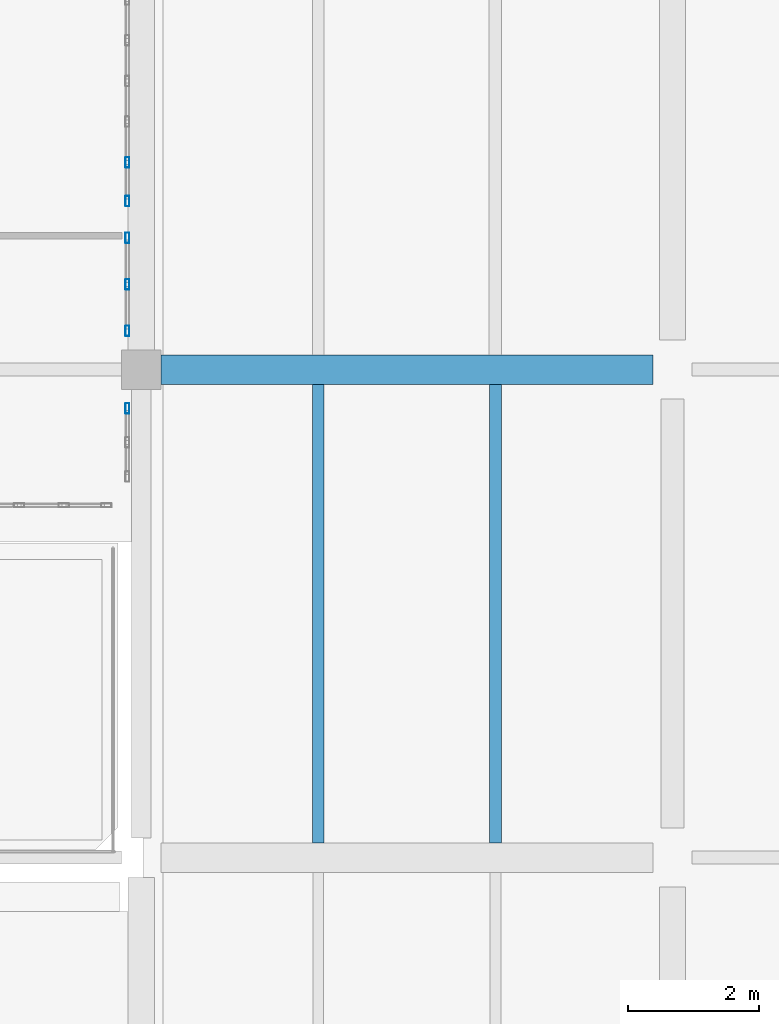
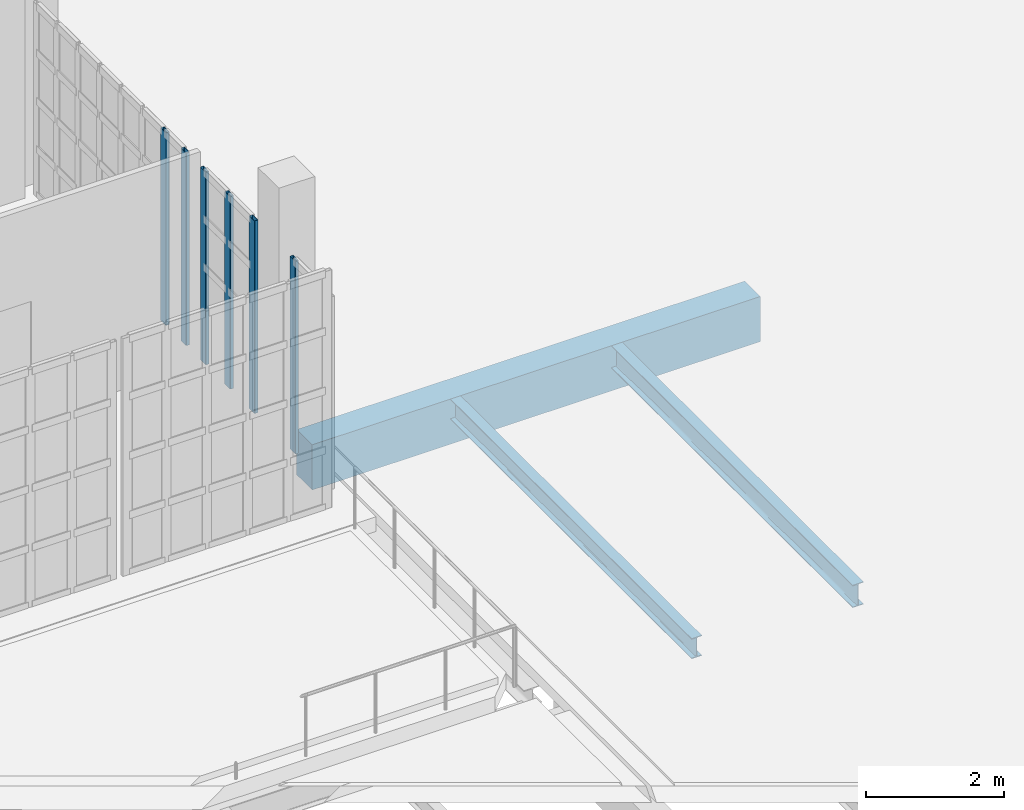
# One storey, part 26 of 73: 6 members, 3 beams, 3 elements without a shape of their own.
"""IFC4 building model written with IfcOpenShell, lengths in metres."""

from ifc_helpers import new_model, si_unit, direction, frame, origin, origin_2d, place, context, subcontext, project, spatial, rectangle, hollow_rectangle, i_section, extrude, material, material_profile, profile_set, type_object, element, aggregate, save


model = new_model("IFC4")

# Units and contexts
model_context = context("Model", 3, precision=1e-05, world=origin(), true_north=direction((0.0, 1.0)))
body_context = subcontext(model_context, "Body", "Model", "MODEL_VIEW")
ifc_project = project(units=[si_unit("LENGTHUNIT", "METRE"), si_unit("AREAUNIT", "SQUARE_METRE"), si_unit("VOLUMEUNIT", "CUBIC_METRE"), si_unit("PLANEANGLEUNIT", "RADIAN"), si_unit("MASSUNIT", "GRAM", prefix="KILO")], contexts=[model_context])

# Site, building, storey
site_placement = place(None, origin())
site = spatial("IfcSite", under=ifc_project, at=site_placement, CompositionType="ELEMENT")
building_placement = place(site_placement, origin())
building = spatial("IfcBuilding", under=site, at=building_placement, Name="Kaelora Sail Theatre", CompositionType="ELEMENT")
storey_placement = place(building_placement, frame((0.0, 0.0, 10.199951171875)))
storey = spatial("IfcBuildingStorey", under=building, at=storey_placement, Name="L02", CompositionType="ELEMENT", Elevation=10.199951171875)

# Curtain wall, member
ifc_material_1 = material(Name="Anodised aluminium and solar-control low-E IGU", Category="aluminium")
curtain_wall_type = type_object("IfcCurtainWallType", Name="ARC-CW-CW-BRG", PredefinedType="NOTDEFINED", material=ifc_material_1)
curtain_wall_1_placement = place(storey_placement, origin())
curtain_wall_1 = element("IfcCurtainWall", 1, at=curtain_wall_1_placement, inside=storey, type_object=curtain_wall_type, Name="Glazed Colonnade/Courtyard Curtain Wall FC2-STEP-E-L02-01", PredefinedType="NOTDEFINED")
ifc_material_2 = material(Name="Anodised aluminium 6063-T6", Category="aluminium")
ifc_material_profile_1 = material_profile(ifc_material_2, hollow_rectangle(XDim=0.06005859375, YDim=0.159912109375, WallThickness=0.00390625, InnerFilletRadius=0.00390625, OuterFilletRadius=0.008056640625, at=origin_2d()), Name="ALU-MULL 60x160x4")
ifc_profile_set_1 = profile_set([ifc_material_profile_1], Name="Anodised aluminium 6063-T6")
member_type = type_object("IfcMemberType", Name="ARC-MEM-ML-160", PredefinedType="MULLION", material=ifc_profile_set_1)
member_1_placement = place(storey_placement, frame((122.7900390625, 67.8701171875, 0.0), z_axis=(0.0, 0.0, 1.0), x_axis=(-1.0, 0.0, 0.0)))
member_1 = element("IfcMember", 2, at=member_1_placement, type_object=member_type, Name="CW-BRG mullion 3", PredefinedType="MULLION", context=body_context, shape_type="SweptSolid", body=[
    extrude(hollow_rectangle(XDim=0.06005859375, YDim=0.159912109375, WallThickness=0.00390625, InnerFilletRadius=0.00390625, OuterFilletRadius=0.008056640625, at=origin_2d()), origin(), (0.0, 0.0, 1.0), 3.406982421875),
])
aggregate(curtain_wall_1, [member_1])

# Curtain wall, members
curtain_wall_2_placement = place(storey_placement, origin())
curtain_wall_2 = element("IfcCurtainWall", 3, at=curtain_wall_2_placement, inside=storey, type_object=curtain_wall_type, Name="Glazed Colonnade/Courtyard Curtain Wall FC2-STEP-E-L02-01", PredefinedType="NOTDEFINED")
member_2_placement = place(storey_placement, frame((122.7900390625, 69.050048828125, 0.0), z_axis=(0.0, 0.0, 1.0), x_axis=(-1.0, 0.0, 0.0)))
member_2 = element("IfcMember", 4, at=member_2_placement, type_object=member_type, Name="CW-BRG mullion 1", PredefinedType="MULLION", context=body_context, shape_type="SweptSolid", body=[
    extrude(hollow_rectangle(XDim=0.06005859375, YDim=0.159912109375, WallThickness=0.00390625, InnerFilletRadius=0.00390625, OuterFilletRadius=0.008056640625, at=origin_2d()), origin(), (0.0, 0.0, 1.0), 3.406982421875),
])
member_3_placement = place(storey_placement, frame((122.7900390625, 69.760009765625, 0.0), z_axis=(0.0, 0.0, 1.0), x_axis=(-1.0, 0.0, 0.0)))
member_3 = element("IfcMember", 5, at=member_3_placement, type_object=member_type, Name="CW-BRG mullion 2", PredefinedType="MULLION", context=body_context, shape_type="SweptSolid", body=[
    extrude(hollow_rectangle(XDim=0.06005859375, YDim=0.159912109375, WallThickness=0.00390625, InnerFilletRadius=0.00390625, OuterFilletRadius=0.008056640625, at=origin_2d()), origin(), (0.0, 0.0, 1.0), 3.406982421875),
])
member_4_placement = place(storey_placement, frame((122.7900390625, 70.469970703125, 0.0), z_axis=(0.0, 0.0, 1.0), x_axis=(-1.0, 0.0, 0.0)))
member_4 = element("IfcMember", 6, at=member_4_placement, type_object=member_type, Name="CW-BRG mullion 3", PredefinedType="MULLION", context=body_context, shape_type="SweptSolid", body=[
    extrude(hollow_rectangle(XDim=0.06005859375, YDim=0.159912109375, WallThickness=0.00390625, InnerFilletRadius=0.00390625, OuterFilletRadius=0.008056640625, at=origin_2d()), origin(), (0.0, 0.0, 1.0), 3.406982421875),
])
aggregate(curtain_wall_2, [member_2, member_3, member_4])

curtain_wall_3_placement = place(storey_placement, origin())
curtain_wall_3 = element("IfcCurtainWall", 7, at=curtain_wall_3_placement, inside=storey, type_object=curtain_wall_type, Name="Glazed Colonnade/Courtyard Curtain Wall FC2-STEP-E-L02-02", PredefinedType="NOTDEFINED")
member_5_placement = place(storey_placement, frame((122.7900390625, 71.030029296875, 0.0), z_axis=(0.0, 0.0, 1.0), x_axis=(-1.0, 0.0, 0.0)))
member_5 = element("IfcMember", 8, at=member_5_placement, type_object=member_type, Name="CW-BRG mullion 1", PredefinedType="MULLION", context=body_context, shape_type="SweptSolid", body=[
    extrude(hollow_rectangle(XDim=0.06005859375, YDim=0.159912109375, WallThickness=0.00390625, InnerFilletRadius=0.00390625, OuterFilletRadius=0.008056640625, at=origin_2d()), origin(), (0.0, 0.0, 1.0), 3.406982421875),
])
member_6_placement = place(storey_placement, frame((122.7900390625, 71.6201171875, 0.0), z_axis=(0.0, 0.0, 1.0), x_axis=(-1.0, 0.0, 0.0)))
member_6 = element("IfcMember", 9, at=member_6_placement, type_object=member_type, Name="CW-BRG mullion 2", PredefinedType="MULLION", context=body_context, shape_type="SweptSolid", body=[
    extrude(hollow_rectangle(XDim=0.06005859375, YDim=0.159912109375, WallThickness=0.00390625, InnerFilletRadius=0.00390625, OuterFilletRadius=0.008056640625, at=origin_2d()), origin(), (0.0, 0.0, 1.0), 3.406982421875),
])
aggregate(curtain_wall_3, [member_5, member_6])

# Beams
ifc_material_3 = material(Name="Concrete C45/55", Category="concrete")
ifc_material_profile_2 = material_profile(ifc_material_3, rectangle(XDim=0.449951171875, YDim=0.800048828125, at=origin_2d()), Name="RC-BM 450x800")
ifc_profile_set_2 = profile_set([ifc_material_profile_2], Name="Concrete C45/55")
beam_type_1 = type_object("IfcBeamType", Name="STR-BM-BM-RC4580", PredefinedType="BEAM", material=ifc_profile_set_2)
beam_1_placement = place(storey_placement, frame((123.300048828125, 68.4599609375, -0.695068359375), z_axis=(1.0, 0.0, 0.0), x_axis=(0.0, 1.0, 0.0)))
element("IfcBeam", 10, at=beam_1_placement, inside=storey, type_object=beam_type_1, Name="Primary beam J 16-17 (L02)", PredefinedType="BEAM", context=body_context, shape_type="SweptSolid", body=[
    extrude(rectangle(XDim=0.449951171875, YDim=0.800048828125, at=origin_2d()), origin(), (0.0, 0.0, 1.0), 7.5),
])
ifc_material_4 = material(Name="Steel S355", Category="steel")
ifc_material_profile_3 = material_profile(ifc_material_4, i_section(OverallWidth=0.169921875, OverallDepth=0.360107421875, WebThickness=0.008056640625, FlangeThickness=0.0126953125, FilletRadius=0.01806640625, at=origin_2d()), Name="IPE 360")
ifc_profile_set_3 = profile_set([ifc_material_profile_3], Name="Steel S355")
beam_type_2 = type_object("IfcBeamType", Name="STR-BM-JS-IPE360", PredefinedType="JOIST", material=ifc_profile_set_3)
beam_2_placement = place(storey_placement, frame((125.699951171875, 61.2451171875, -0.474853515625), z_axis=(0.0, 1.0, 0.0), x_axis=(-1.0, 0.0, 0.0)))
element("IfcBeam", 11, at=beam_2_placement, inside=storey, type_object=beam_type_2, Name="Secondary floor joist 16/I-1 (L02)", PredefinedType="JOIST", context=body_context, shape_type="SweptSolid", body=[
    extrude(i_section(OverallWidth=0.169921875, OverallDepth=0.360107421875, WebThickness=0.008056640625, FlangeThickness=0.0126953125, FilletRadius=0.01806640625, at=origin_2d()), origin(), (0.0, 0.0, 1.0), 6.989990234375),
])
ifc_material_5 = material(Name="Steel S355", Category="steel")
ifc_material_profile_4 = material_profile(ifc_material_5, i_section(OverallWidth=0.179931640625, OverallDepth=0.39990234375, WebThickness=0.008544921875, FlangeThickness=0.013427734375, FilletRadius=0.02099609375, at=origin_2d()), Name="IPE 400")
ifc_profile_set_4 = profile_set([ifc_material_profile_4], Name="Steel S355")
beam_type_3 = type_object("IfcBeamType", Name="STR-BM-JS-IPE400", PredefinedType="JOIST", material=ifc_profile_set_4)
beam_3_placement = place(storey_placement, frame((128.39990234375, 61.2451171875, -0.494873046875), z_axis=(0.0, 1.0, 0.0), x_axis=(-1.0, 0.0, 0.0)))
element("IfcBeam", 12, at=beam_3_placement, inside=storey, type_object=beam_type_3, Name="Secondary floor joist 16/I-2 (L02)", PredefinedType="JOIST", context=body_context, shape_type="SweptSolid", body=[
    extrude(i_section(OverallWidth=0.179931640625, OverallDepth=0.39990234375, WebThickness=0.008544921875, FlangeThickness=0.013427734375, FilletRadius=0.02099609375, at=origin_2d()), origin(), (0.0, 0.0, 1.0), 6.989990234375),
])

save(model, "model.ifc")
